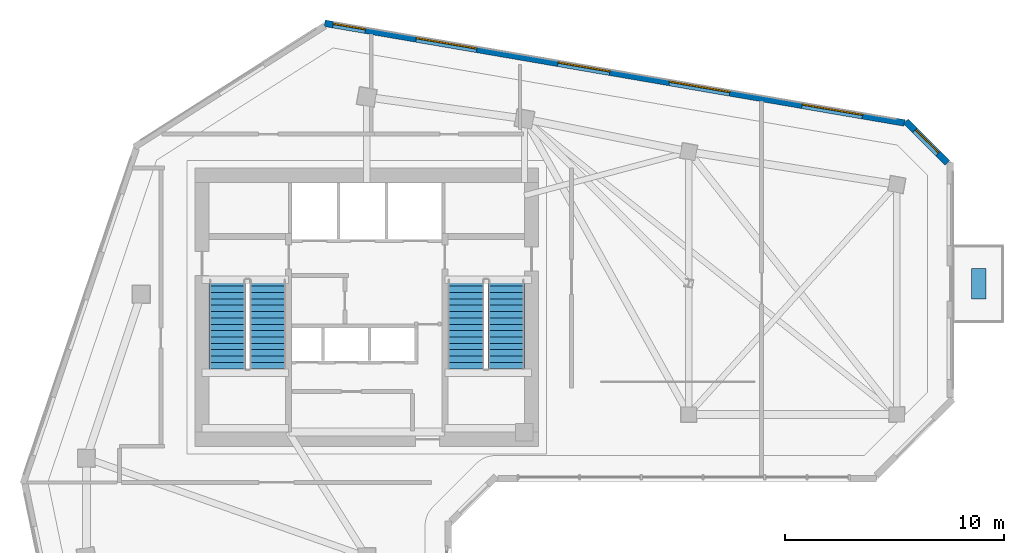
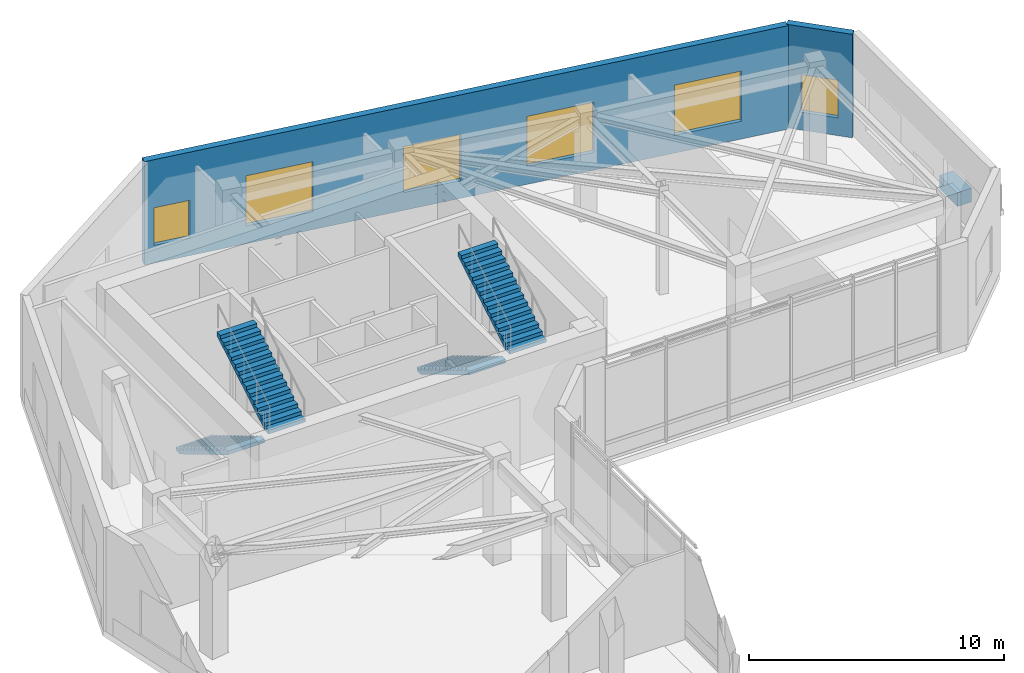
# One storey, part 7 of 10: 6 windows, 4 stair flights, 2 walls, 1 discrete accessory, 6 openings, 2 elements without a shape of their own.
"""IFC4 building model written with IfcOpenShell, lengths in metres."""

from ifc_helpers import new_model, si_unit, direction, frame, frame_2d, origin, origin_2d, place, context, subcontext, project, spatial, polyline, rectangle, outline, extrude, source, transform, mapped, material, layer, layer_set, type_object, element, fill, aggregate, save


model = new_model("IFC4")

# Units and contexts
model_context = context("Model", 3, precision=1e-05, world=origin(), true_north=direction((0.0, 1.0)))
body_context = subcontext(model_context, "Body", "Model", "MODEL_VIEW")
ifc_project = project(units=[si_unit("LENGTHUNIT", "METRE"), si_unit("AREAUNIT", "SQUARE_METRE"), si_unit("VOLUMEUNIT", "CUBIC_METRE"), si_unit("PLANEANGLEUNIT", "RADIAN"), si_unit("MASSUNIT", "GRAM", prefix="KILO")], contexts=[model_context])

# Site, building, storey
site_placement = place(None, origin())
site = spatial("IfcSite", under=ifc_project, at=site_placement, CompositionType="ELEMENT")
building_placement = place(site_placement, origin())
building = spatial("IfcBuilding", under=site, at=building_placement, Name="Calvemar Wedge Station Tower", CompositionType="ELEMENT")
storey_placement = place(building_placement, frame((0.0, 0.0, 178.199951171875)))
storey = spatial("IfcBuildingStorey", under=building, at=storey_placement, Name="L44", CompositionType="ELEMENT", Elevation=178.199951171875)

# Wall, opening, window
ifc_material_1 = material(Name="Precast concrete C45", Category="concrete")
ifc_layer = layer(ifc_material_1, 0.300048828125)
ifc_layer_set = layer_set([ifc_layer], Name="Precast concrete C45")
wall_type = type_object("IfcWallType", Name="W-EXT-GFRC-300", PredefinedType="SOLIDWALL", material=ifc_layer_set)
wall_1_placement = place(storey_placement, frame((50.31201171875, 46.5, 0.0), z_axis=(0.0, 0.0, 1.0), x_axis=(-0.707106781187, 0.707106781187, 0.0)))
wall_1 = element("IfcWall", 1, at=wall_1_placement, inside=storey, type_object=wall_type, Name="Storey L44 Bronze GFRC Exterior Wall 9", PredefinedType="SOLIDWALL", context=body_context, shape_type="SweptSolid", body=[
    extrude(rectangle(XDim=2.67333984375, YDim=0.300048828125, at=frame_2d((1.336669921875, 0.0))), origin(), (0.0, 0.0, 1.0), 4.949951171875),
])
shared_shape_1 = source(origin(), body_context, "Body", "SweptSolid", [
    extrude(rectangle(XDim=1.5, YDim=1.800048828125, at=frame_2d((0.75, 0.89990234375))), frame((0.0, 0.16015625, 0.0), z_axis=(0.0, -1.0, 0.0), x_axis=(1.0, 0.0, 0.0)), (0.0, 0.0, 1.0), 0.320068359375),
])
opening_1_placement = place(wall_1_placement, frame((0.5869140625, 0.0, 0.85009765625)))
opening_1 = element("IfcOpeningElement", 2, at=opening_1_placement, cuts=wall_1, Name="Opening W3", PredefinedType="OPENING", context=body_context, shape_type="MappedRepresentation", body=[
    mapped(shared_shape_1, transform((0.0, 0.0, 0.0), scale=1.0)),
])
ifc_material_2 = material(Name="Low-E laminated insulated glass", Category="glass")
window_type_1 = type_object("IfcWindowType", Name="WIN-EXT-3", PartitioningType="SINGLE_PANEL", PredefinedType="WINDOW", material=ifc_material_2)
shared_shape_2 = source(origin(), body_context, "Body", "SweptSolid", [
    extrude(rectangle(XDim=1.5, YDim=1.800048828125, at=frame_2d((0.75, 0.89990234375))), frame((0.0, -0.014892578125, 0.0), z_axis=(0.0, -1.0, 0.0), x_axis=(1.0, 0.0, 0.0)), (0.0, 0.0, 1.0), 0.06005859375),
])
window_1_placement = place(opening_1_placement, origin())
window_1 = element("IfcWindow", 3, at=window_1_placement, inside=storey, type_object=window_type_1, Name="Storey L44 Recessed Window 9.1", OverallHeight=1.800048828125, OverallWidth=1.5, PartitioningType="SINGLE_PANEL", PredefinedType="WINDOW", context=body_context, shape_type="MappedRepresentation", body=[
    mapped(shared_shape_2, transform((0.0, 0.0, 0.0), scale=1.0)),
])
fill(opening_1, window_1)

# Wall, openings, windows
wall_2_placement = place(storey_placement, frame((48.361083984375, 48.31298828125, 0.0), z_axis=(0.0, 0.0, 1.0), x_axis=(-0.985523113069, 0.169541126597, 0.0)))
wall_2 = element("IfcWall", 4, at=wall_2_placement, inside=storey, type_object=wall_type, Name="Storey L44 Bronze GFRC Exterior Wall 10", PredefinedType="SOLIDWALL", context=body_context, shape_type="SweptSolid", body=[
    extrude(rectangle(XDim=26.8662109375, YDim=0.300048828125, at=frame_2d((13.43310546875, 0.0))), origin(), (0.0, 0.0, 1.0), 4.949951171875),
])
shared_shape_3 = source(origin(), body_context, "Body", "SweptSolid", [
    extrude(rectangle(XDim=2.800048828125, YDim=2.39990234375, at=frame_2d((1.39990234375, 1.199951171875))), frame((0.0, 0.16015625, 0.0), z_axis=(0.0, -1.0, 0.0), x_axis=(1.0, 0.0, 0.0)), (0.0, 0.0, 1.0), 0.320068359375),
])
opening_2_placement = place(wall_2_placement, frame((1.950927734375, 0.0, 0.85009765625)))
opening_2 = element("IfcOpeningElement", 5, at=opening_2_placement, cuts=wall_2, Name="Opening W6", PredefinedType="OPENING", context=body_context, shape_type="MappedRepresentation", body=[
    mapped(shared_shape_3, transform((0.0, 0.0, 0.0), scale=1.0)),
])
opening_3_placement = place(wall_2_placement, frame((8.10205078125, 0.0, 0.85009765625)))
opening_3 = element("IfcOpeningElement", 6, at=opening_3_placement, cuts=wall_2, Name="Opening W6", PredefinedType="OPENING", context=body_context, shape_type="MappedRepresentation", body=[
    mapped(shared_shape_3, transform((0.0, 0.0, 0.0), scale=1.0)),
])
shared_shape_4 = source(origin(), body_context, "Body", "SweptSolid", [
    extrude(rectangle(XDim=2.39990234375, YDim=2.199951171875, at=frame_2d((1.199951171875, 1.10009765625))), frame((0.0, 0.16015625, 0.0), z_axis=(0.0, -1.0, 0.0), x_axis=(1.0, 0.0, 0.0)), (0.0, 0.0, 1.0), 0.320068359375),
])
opening_4_placement = place(wall_2_placement, frame((13.662109375, 0.0, 0.85009765625)))
opening_4 = element("IfcOpeningElement", 7, at=opening_4_placement, cuts=wall_2, Name="Opening W1", PredefinedType="OPENING", context=body_context, shape_type="MappedRepresentation", body=[
    mapped(shared_shape_4, transform((0.0, 0.0, 0.0), scale=1.0)),
])
opening_5_placement = place(wall_2_placement, frame((19.830078125, 0.0, 0.85009765625)))
opening_5 = element("IfcOpeningElement", 8, at=opening_5_placement, cuts=wall_2, Name="Opening W6", PredefinedType="OPENING", context=body_context, shape_type="MappedRepresentation", body=[
    mapped(shared_shape_3, transform((0.0, 0.0, 0.0), scale=1.0)),
])
opening_6_placement = place(wall_2_placement, frame((24.98291015625, 0.0, 0.85009765625)))
opening_6 = element("IfcOpeningElement", 9, at=opening_6_placement, cuts=wall_2, Name="Opening W3", PredefinedType="OPENING", context=body_context, shape_type="MappedRepresentation", body=[
    mapped(shared_shape_1, transform((0.0, 0.0, 0.0), scale=1.0)),
])
window_type_2 = type_object("IfcWindowType", Name="WIN-EXT-6", PartitioningType="SINGLE_PANEL", PredefinedType="WINDOW", material=ifc_material_2)
shared_shape_5 = source(origin(), body_context, "Body", "SweptSolid", [
    extrude(rectangle(XDim=2.800048828125, YDim=2.39990234375, at=frame_2d((1.39990234375, 1.199951171875))), frame((0.0, -0.014892578125, 0.0), z_axis=(0.0, -1.0, 0.0), x_axis=(1.0, 0.0, 0.0)), (0.0, 0.0, 1.0), 0.06005859375),
])
window_2_placement = place(opening_2_placement, origin())
window_2 = element("IfcWindow", 10, at=window_2_placement, inside=storey, type_object=window_type_2, Name="Storey L44 Recessed Window 10.1", OverallHeight=2.39990234375, OverallWidth=2.800048828125, PartitioningType="SINGLE_PANEL", PredefinedType="WINDOW", context=body_context, shape_type="MappedRepresentation", body=[
    mapped(shared_shape_5, transform((0.0, 0.0, 0.0), scale=1.0)),
])
fill(opening_2, window_2)
window_3_placement = place(opening_3_placement, origin())
window_3 = element("IfcWindow", 11, at=window_3_placement, inside=storey, type_object=window_type_2, Name="Storey L44 Recessed Window 10.2", OverallHeight=2.39990234375, OverallWidth=2.800048828125, PartitioningType="SINGLE_PANEL", PredefinedType="WINDOW", context=body_context, shape_type="MappedRepresentation", body=[
    mapped(shared_shape_5, transform((0.0, 0.0, 0.0), scale=1.0)),
])
fill(opening_3, window_3)
window_4_placement = place(opening_5_placement, origin())
window_4 = element("IfcWindow", 12, at=window_4_placement, inside=storey, type_object=window_type_2, Name="Storey L44 Recessed Window 10.4", OverallHeight=2.39990234375, OverallWidth=2.800048828125, PartitioningType="SINGLE_PANEL", PredefinedType="WINDOW", context=body_context, shape_type="MappedRepresentation", body=[
    mapped(shared_shape_5, transform((0.0, 0.0, 0.0), scale=1.0)),
])
fill(opening_5, window_4)
window_type_3 = type_object("IfcWindowType", Name="WIN-EXT-1", PartitioningType="SINGLE_PANEL", PredefinedType="WINDOW", material=ifc_material_2)
shared_shape_6 = source(origin(), body_context, "Body", "SweptSolid", [
    extrude(rectangle(XDim=2.39990234375, YDim=2.199951171875, at=frame_2d((1.199951171875, 1.10009765625))), frame((0.0, -0.014892578125, 0.0), z_axis=(0.0, -1.0, 0.0), x_axis=(1.0, 0.0, 0.0)), (0.0, 0.0, 1.0), 0.06005859375),
])
window_5_placement = place(opening_4_placement, origin())
window_5 = element("IfcWindow", 13, at=window_5_placement, inside=storey, type_object=window_type_3, Name="Storey L44 Recessed Window 10.3", OverallHeight=2.199951171875, OverallWidth=2.39990234375, PartitioningType="SINGLE_PANEL", PredefinedType="WINDOW", context=body_context, shape_type="MappedRepresentation", body=[
    mapped(shared_shape_6, transform((0.0, 0.0, 0.0), scale=1.0)),
])
fill(opening_4, window_5)
window_6_placement = place(opening_6_placement, origin())
window_6 = element("IfcWindow", 14, at=window_6_placement, inside=storey, type_object=window_type_1, Name="Storey L44 Recessed Window 10.5", OverallHeight=1.800048828125, OverallWidth=1.5, PartitioningType="SINGLE_PANEL", PredefinedType="WINDOW", context=body_context, shape_type="MappedRepresentation", body=[
    mapped(shared_shape_2, transform((0.0, 0.0, 0.0), scale=1.0)),
])
fill(opening_6, window_6)

# Stair, stair flights
ifc_material_3 = material(Name="Concrete C45", Category="concrete")
stair_type = type_object("IfcStairType", Name="ST-TYPE-5200", PredefinedType="HALF_TURN_STAIR", material=ifc_material_3)
stair_1_placement = place(storey_placement, origin())
stair_1 = element("IfcStair", 15, at=stair_1_placement, inside=storey, type_object=stair_type, Name="L44 Pressurized Core Exit Stair ST-C1", PredefinedType="HALF_TURN_STAIR")
stair_flight_type = type_object("IfcStairFlightType", Name="STF-TYPE-5200", PredefinedType="STRAIGHT", material=ifc_material_3)
stair_flight_1_placement = place(storey_placement, frame((17.429931640625, 41.14990234375, 0.0), z_axis=(0.0, 0.0, 1.0), x_axis=(0.0, -1.0, 0.0)))
stair_flight_1 = element("IfcStairFlight", 16, at=stair_flight_1_placement, type_object=stair_flight_type, Name="ST-C1 flight 1", NumberOfRisers=15, NumberOfTreads=14, PredefinedType="STRAIGHT", RiserHeight=0.173333333, TreadLength=0.29, context=body_context, shape_type="SweptSolid", body=[
    extrude(outline(polyline([(0.0, 0.0), (0.0, 0.17333984375), (0.2900390625, 0.17333984375), (0.2900390625, 0.3466796875), (0.580078125, 0.3466796875), (0.580078125, 0.52001953125), (0.8701171875, 0.52001953125), (0.8701171875, 0.693359375), (1.159912109375, 0.693359375), (1.159912109375, 0.86669921875), (1.449951171875, 0.86669921875), (1.449951171875, 1.0400390625), (1.739990234375, 1.0400390625), (1.739990234375, 1.21337890625), (2.030029296875, 1.21337890625), (2.030029296875, 1.38671875), (2.320068359375, 1.38671875), (2.320068359375, 1.56005859375), (2.610107421875, 1.56005859375), (2.610107421875, 1.7333984375), (2.89990234375, 1.7333984375), (2.89990234375, 1.90673828125), (3.18994140625, 1.90673828125), (3.18994140625, 2.080078125), (3.47998046875, 2.080078125), (3.47998046875, 2.25341796875), (3.77001953125, 2.25341796875), (3.77001953125, 2.4267578125), (4.06005859375, 2.4267578125), (4.06005859375, 2.60009765625), (4.06005859375, 2.251953125), (0.292236328125, 0.0), (0.0, 0.0)])), frame((0.0, 0.830078125, 0.0), z_axis=(0.0, -1.0, 0.0), x_axis=(1.0, 0.0, 0.0)), (0.0, 0.0, 1.0), 1.659912109375),
])
stair_flight_2_placement = place(storey_placement, frame((19.27001953125, 37.090087890625, 2.60009765625), z_axis=(0.0, 0.0, 1.0), x_axis=(0.0, 1.0, 0.0)))
stair_flight_2 = element("IfcStairFlight", 17, at=stair_flight_2_placement, type_object=stair_flight_type, Name="ST-C1 flight 2", NumberOfRisers=15, NumberOfTreads=14, PredefinedType="STRAIGHT", RiserHeight=0.173333333, TreadLength=0.29, context=body_context, shape_type="SweptSolid", body=[
    extrude(outline(polyline([(0.0, 0.0), (0.0, 0.17333984375), (0.2900390625, 0.17333984375), (0.2900390625, 0.3466796875), (0.580078125, 0.3466796875), (0.580078125, 0.52001953125), (0.8701171875, 0.52001953125), (0.8701171875, 0.693359375), (1.159912109375, 0.693359375), (1.159912109375, 0.86669921875), (1.449951171875, 0.86669921875), (1.449951171875, 1.0400390625), (1.739990234375, 1.0400390625), (1.739990234375, 1.21337890625), (2.030029296875, 1.21337890625), (2.030029296875, 1.38671875), (2.320068359375, 1.38671875), (2.320068359375, 1.56005859375), (2.610107421875, 1.56005859375), (2.610107421875, 1.7333984375), (2.89990234375, 1.7333984375), (2.89990234375, 1.90673828125), (3.18994140625, 1.90673828125), (3.18994140625, 2.080078125), (3.47998046875, 2.080078125), (3.47998046875, 2.25341796875), (3.77001953125, 2.25341796875), (3.77001953125, 2.4267578125), (4.06005859375, 2.4267578125), (4.06005859375, 2.60009765625), (4.06005859375, 2.251953125), (0.292236328125, 0.0), (0.0, 0.0)])), frame((0.0, 0.830078125, 0.0), z_axis=(0.0, -1.0, 0.0), x_axis=(1.0, 0.0, 0.0)), (0.0, 0.0, 1.0), 1.659912109375),
])
aggregate(stair_1, [stair_flight_1, stair_flight_2])

stair_2_placement = place(storey_placement, origin())
stair_2 = element("IfcStair", 18, at=stair_2_placement, inside=storey, type_object=stair_type, Name="L44 Pressurized Core Exit Stair ST-C2", PredefinedType="HALF_TURN_STAIR")
stair_flight_3_placement = place(storey_placement, frame((28.330078125, 41.14990234375, 0.0), z_axis=(0.0, 0.0, 1.0), x_axis=(0.0, -1.0, 0.0)))
stair_flight_3 = element("IfcStairFlight", 19, at=stair_flight_3_placement, type_object=stair_flight_type, Name="ST-C2 flight 1", NumberOfRisers=15, NumberOfTreads=14, PredefinedType="STRAIGHT", RiserHeight=0.173333333, TreadLength=0.29, context=body_context, shape_type="SweptSolid", body=[
    extrude(outline(polyline([(0.0, 0.0), (0.0, 0.17333984375), (0.2900390625, 0.17333984375), (0.2900390625, 0.3466796875), (0.580078125, 0.3466796875), (0.580078125, 0.52001953125), (0.8701171875, 0.52001953125), (0.8701171875, 0.693359375), (1.159912109375, 0.693359375), (1.159912109375, 0.86669921875), (1.449951171875, 0.86669921875), (1.449951171875, 1.0400390625), (1.739990234375, 1.0400390625), (1.739990234375, 1.21337890625), (2.030029296875, 1.21337890625), (2.030029296875, 1.38671875), (2.320068359375, 1.38671875), (2.320068359375, 1.56005859375), (2.610107421875, 1.56005859375), (2.610107421875, 1.7333984375), (2.89990234375, 1.7333984375), (2.89990234375, 1.90673828125), (3.18994140625, 1.90673828125), (3.18994140625, 2.080078125), (3.47998046875, 2.080078125), (3.47998046875, 2.25341796875), (3.77001953125, 2.25341796875), (3.77001953125, 2.4267578125), (4.06005859375, 2.4267578125), (4.06005859375, 2.60009765625), (4.06005859375, 2.251953125), (0.292236328125, 0.0), (0.0, 0.0)])), frame((0.0, 0.830078125, 0.0), z_axis=(0.0, -1.0, 0.0), x_axis=(1.0, 0.0, 0.0)), (0.0, 0.0, 1.0), 1.659912109375),
])
stair_flight_4_placement = place(storey_placement, frame((30.169921875, 37.090087890625, 2.60009765625), z_axis=(0.0, 0.0, 1.0), x_axis=(0.0, 1.0, 0.0)))
stair_flight_4 = element("IfcStairFlight", 20, at=stair_flight_4_placement, type_object=stair_flight_type, Name="ST-C2 flight 2", NumberOfRisers=15, NumberOfTreads=14, PredefinedType="STRAIGHT", RiserHeight=0.173333333, TreadLength=0.29, context=body_context, shape_type="SweptSolid", body=[
    extrude(outline(polyline([(0.0, 0.0), (0.0, 0.17333984375), (0.2900390625, 0.17333984375), (0.2900390625, 0.3466796875), (0.580078125, 0.3466796875), (0.580078125, 0.52001953125), (0.8701171875, 0.52001953125), (0.8701171875, 0.693359375), (1.159912109375, 0.693359375), (1.159912109375, 0.86669921875), (1.449951171875, 0.86669921875), (1.449951171875, 1.0400390625), (1.739990234375, 1.0400390625), (1.739990234375, 1.21337890625), (2.030029296875, 1.21337890625), (2.030029296875, 1.38671875), (2.320068359375, 1.38671875), (2.320068359375, 1.56005859375), (2.610107421875, 1.56005859375), (2.610107421875, 1.7333984375), (2.89990234375, 1.7333984375), (2.89990234375, 1.90673828125), (3.18994140625, 1.90673828125), (3.18994140625, 2.080078125), (3.47998046875, 2.080078125), (3.47998046875, 2.25341796875), (3.77001953125, 2.25341796875), (3.77001953125, 2.4267578125), (4.06005859375, 2.4267578125), (4.06005859375, 2.60009765625), (4.06005859375, 2.251953125), (0.292236328125, 0.0), (0.0, 0.0)])), frame((0.0, 0.830078125, 0.0), z_axis=(0.0, -1.0, 0.0), x_axis=(1.0, 0.0, 0.0)), (0.0, 0.0, 1.0), 1.659912109375),
])
aggregate(stair_2, [stair_flight_3, stair_flight_4])

# Discrete accessory
discrete_accessory_type = type_object("IfcDiscreteAccessoryType", Name="ACC-PLANTER", PredefinedType="USERDEFINED", material=ifc_material_1)
shared_shape_7 = source(origin(), body_context, "Body", "SweptSolid", [
    extrude(rectangle(XDim=0.64990234375, YDim=1.39990234375, at=origin_2d()), origin(), (0.0, 0.0, 1.0), 0.64990234375),
])
discrete_accessory_placement = place(storey_placement, frame((51.75, 40.97412109375, 0.0), z_axis=(0.0, 0.0, 1.0), x_axis=(1.0, 0.0, 0.0)))
element("IfcDiscreteAccessory", 21, at=discrete_accessory_placement, inside=storey, type_object=discrete_accessory_type, Name="Storey L44 Planted Terrace GFRC Planter", ObjectType="PLANTER", PredefinedType="USERDEFINED", context=body_context, shape_type="MappedRepresentation", body=[
    mapped(shared_shape_7, transform((0.0, 0.0, 0.0), scale=1.0)),
])

save(model, "model.ifc")
